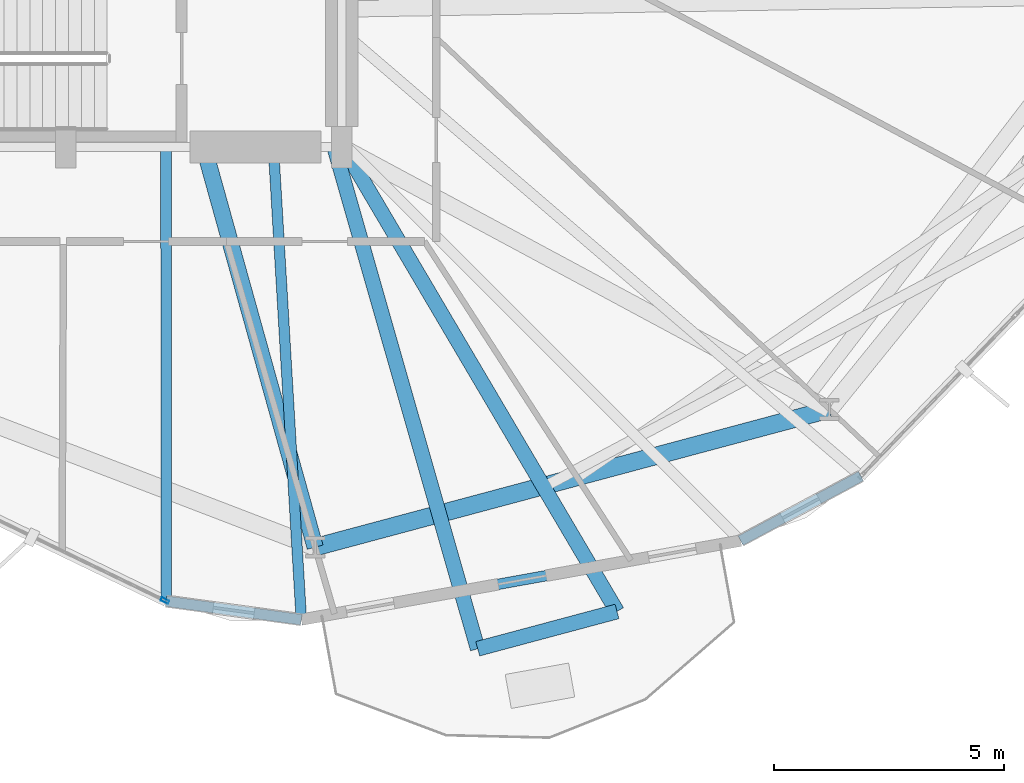
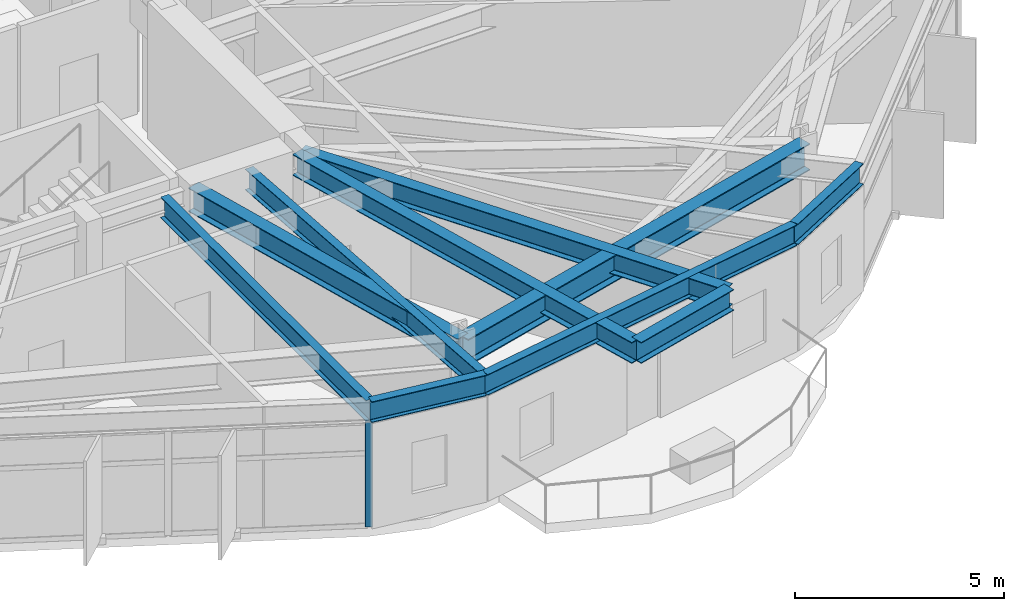
# One storey, part 4 of 22: 10 beams, 1 member, 1 element without a shape of its own.
"""IFC4 building model written with IfcOpenShell, lengths in metres."""

from ifc_helpers import new_model, si_unit, direction, frame, origin, origin_2d, place, context, subcontext, project, spatial, hollow_rectangle, i_section, extrude, material, layer, layer_set, material_profile, profile_set, type_object, element, aggregate, save


model = new_model("IFC4")

# Units and contexts
model_context = context("Model", 3, precision=1e-05, world=origin(), true_north=direction((0.0, 1.0)))
body_context = subcontext(model_context, "Body", "Model", "MODEL_VIEW")
ifc_project = project(units=[si_unit("LENGTHUNIT", "METRE"), si_unit("AREAUNIT", "SQUARE_METRE"), si_unit("VOLUMEUNIT", "CUBIC_METRE"), si_unit("PLANEANGLEUNIT", "RADIAN"), si_unit("MASSUNIT", "GRAM", prefix="KILO")], contexts=[model_context])

# Site, building, storey
site_placement = place(None, origin())
site = spatial("IfcSite", under=ifc_project, at=site_placement, CompositionType="ELEMENT")
building_placement = place(site_placement, origin())
building = spatial("IfcBuilding", under=site, at=building_placement, Name="Soratama Intermodal Tower", CompositionType="ELEMENT")
storey_placement = place(building_placement, frame((0.0, 0.0, 66.60009765625)))
storey = spatial("IfcBuildingStorey", under=building, at=storey_placement, Name="L15", CompositionType="ELEMENT", Elevation=66.60009765625)

# Beams
ifc_material_1 = material(Name="Structural steel ASTM A992 Grade 50", Category="steel")
ifc_material_profile_1 = material_profile(ifc_material_1, i_section(OverallWidth=0.324951171875, OverallDepth=0.615966796875, WebThickness=0.013916015625, FlangeThickness=0.021484375, FilletRadius=0.013916015625, at=origin_2d()), Name="W24X117")
ifc_profile_set_1 = profile_set([ifc_material_profile_1], Name="Structural steel ASTM A992 Grade 50")
beam_type_1 = type_object("IfcBeamType", Name="BM-CANT-W24X117", PredefinedType="BEAM", material=ifc_profile_set_1)
beam_1_placement = place(storey_placement, frame((47.552001953125, 4.097900390625, 3.391845703125), z_axis=(0.965952569865, 0.258719216084, 0.0), x_axis=(-0.258719216084, 0.965952569865, 0.0)))
element("IfcBeam", 1, at=beam_1_placement, inside=storey, type_object=beam_type_1, Name="BM-L15-CBHDR-3", PredefinedType="BEAM", context=body_context, shape_type="SweptSolid", body=[
    extrude(i_section(OverallWidth=0.324951171875, OverallDepth=0.615966796875, WebThickness=0.013916015625, FlangeThickness=0.021484375, FilletRadius=0.013916015625, at=origin_2d()), origin(), (0.0, 0.0, 1.0), 3.134765625),
])
beam_2_placement = place(storey_placement, frame((44.445068359375, 14.9619140625, 3.391845703125), z_axis=(0.274960826164, -0.961455430103, 0.0), x_axis=(0.961455430103, 0.274960826164, 0.0)))
element("IfcBeam", 2, at=beam_2_placement, inside=storey, type_object=beam_type_1, Name="BM-L15-CANT-3-1", PredefinedType="BEAM", context=body_context, shape_type="SweptSolid", body=[
    extrude(i_section(OverallWidth=0.324951171875, OverallDepth=0.615966796875, WebThickness=0.013916015625, FlangeThickness=0.021484375, FilletRadius=0.013916015625, at=origin_2d()), origin(), (0.0, 0.0, 1.0), 11.299560546875),
])
beam_3_placement = place(storey_placement, frame((44.6201171875, 15.01708984375, 3.391845703125), z_axis=(0.507905459326, -0.861412818797, 0.0), x_axis=(0.861412818797, 0.507905459326, 0.0)))
element("IfcBeam", 3, at=beam_3_placement, inside=storey, type_object=beam_type_1, Name="BM-L15-CANT-3-2", PredefinedType="BEAM", context=body_context, shape_type="SweptSolid", body=[
    extrude(i_section(OverallWidth=0.324951171875, OverallDepth=0.615966796875, WebThickness=0.013916015625, FlangeThickness=0.021484375, FilletRadius=0.013916015625, at=origin_2d()), origin(), (0.0, 0.0, 1.0), 11.734375),
])
ifc_material_2 = material(Name="Structural steel ASTM A992 Grade 50", Category="steel")
ifc_material_profile_2 = material_profile(ifc_material_2, i_section(OverallWidth=0.35498046875, OverallDepth=0.695068359375, WebThickness=0.015380859375, FlangeThickness=0.02490234375, FilletRadius=0.01611328125, at=origin_2d()), Name="W27X146")
ifc_profile_set_2 = profile_set([ifc_material_profile_2], Name="Structural steel ASTM A992 Grade 50")
beam_type_2 = type_object("IfcBeamType", Name="BM-RING-W27X146", PredefinedType="BEAM", material=ifc_profile_set_2)
beam_4_placement = place(storey_placement, frame((41.60009765625, 15.0, 3.352294921875), z_axis=(0.26814752121, -0.963377862974, 0.0), x_axis=(0.963377862974, 0.26814752121, 0.0)))
element("IfcBeam", 4, at=beam_4_placement, inside=storey, type_object=beam_type_2, Name="BM-L15-RAD-08", PredefinedType="BEAM", context=body_context, shape_type="SweptSolid", body=[
    extrude(i_section(OverallWidth=0.35498046875, OverallDepth=0.695068359375, WebThickness=0.015380859375, FlangeThickness=0.02490234375, FilletRadius=0.01611328125, at=origin_2d()), origin(), (0.0, 0.0, 1.0), 9.024658203125),
])
ifc_material_3 = material(Name="Structural steel ASTM A992 Grade 50", Category="steel")
ifc_material_profile_3 = material_profile(ifc_material_3, i_section(OverallWidth=0.382080078125, OverallDepth=0.779052734375, WebThickness=0.01806640625, FlangeThickness=0.030029296875, FilletRadius=0.01806640625, at=origin_2d()), Name="W30X191")
ifc_profile_set_3 = profile_set([ifc_material_profile_3], Name="Structural steel ASTM A992 Grade 50")
beam_type_3 = type_object("IfcBeamType", Name="BM-RING-W30X191", PredefinedType="BEAM", material=ifc_profile_set_3)
beam_5_placement = place(storey_placement, frame((44.02001953125, 6.305908203125, 3.310302734375), z_axis=(0.965935902196, 0.258781438376, 0.0), x_axis=(-0.258781438376, 0.965935902196, 0.0)))
element("IfcBeam", 5, at=beam_5_placement, inside=storey, type_object=beam_type_3, Name="BM-L15-RING-08", PredefinedType="BEAM", context=body_context, shape_type="SweptSolid", body=[
    extrude(i_section(OverallWidth=0.382080078125, OverallDepth=0.779052734375, WebThickness=0.01806640625, FlangeThickness=0.030029296875, FilletRadius=0.01806640625, at=origin_2d()), origin(), (0.0, 0.0, 1.0), 11.570068359375),
])
ifc_material_4 = material(Name="Structural steel ASTM A992 Grade 50", Category="steel")
ifc_material_profile_4 = material_profile(ifc_material_4, i_section(OverallWidth=0.22900390625, OverallDepth=0.612060546875, WebThickness=0.011962890625, FlangeThickness=0.01953125, FilletRadius=0.012939453125, at=origin_2d()), Name="W24X84")
ifc_profile_set_4 = profile_set([ifc_material_profile_4], Name="Structural steel ASTM A992 Grade 50")
beam_type_4 = type_object("IfcBeamType", Name="BM-SPN-W24X84", PredefinedType="SPANDREL", material=ifc_profile_set_4)
beam_6_placement = place(storey_placement, frame((40.781005859375, 5.132080078125, 3.393798828125), z_axis=(0.990725704986, -0.13587706753, 0.0), x_axis=(0.13587706753, 0.990725704986, 0.0)))
element("IfcBeam", 6, at=beam_6_placement, inside=storey, type_object=beam_type_4, Name="BS-L15-CRN07", PredefinedType="SPANDREL", context=body_context, shape_type="SweptSolid", body=[
    extrude(i_section(OverallWidth=0.22900390625, OverallDepth=0.612060546875, WebThickness=0.011962890625, FlangeThickness=0.01953125, FilletRadius=0.012939453125, at=origin_2d()), origin(), (0.0, 0.0, 1.0), 2.966552734375),
])
beam_7_placement = place(storey_placement, frame((43.719970703125, 4.72900390625, 3.393798828125), z_axis=(0.984184552879, 0.177146170928, 0.0), x_axis=(-0.177146170928, 0.984184552879, 0.0)))
element("IfcBeam", 7, at=beam_7_placement, inside=storey, type_object=beam_type_4, Name="BS-L15-F08", PredefinedType="SPANDREL", context=body_context, shape_type="SweptSolid", body=[
    extrude(i_section(OverallWidth=0.22900390625, OverallDepth=0.612060546875, WebThickness=0.011962890625, FlangeThickness=0.01953125, FilletRadius=0.012939453125, at=origin_2d()), origin(), (0.0, 0.0, 1.0), 9.6982421875),
])
beam_8_placement = place(storey_placement, frame((53.264892578125, 6.447021484375, 3.393798828125), z_axis=(0.881309887605, 0.472538762442, 0.0), x_axis=(-0.472538762442, 0.881309887605, 0.0)))
element("IfcBeam", 8, at=beam_8_placement, inside=storey, type_object=beam_type_4, Name="BS-L15-CRN08", PredefinedType="SPANDREL", context=body_context, shape_type="SweptSolid", body=[
    extrude(i_section(OverallWidth=0.22900390625, OverallDepth=0.612060546875, WebThickness=0.011962890625, FlangeThickness=0.01953125, FilletRadius=0.012939453125, at=origin_2d()), origin(), (0.0, 0.0, 1.0), 2.96728515625),
])
ifc_material_5 = material(Name="Structural steel ASTM A992 Grade 50", Category="steel")
ifc_material_profile_5 = material_profile(ifc_material_5, i_section(OverallWidth=0.22900390625, OverallDepth=0.612060546875, WebThickness=0.011962890625, FlangeThickness=0.01953125, FilletRadius=0.012939453125, at=origin_2d()), Name="W24X84")
ifc_profile_set_5 = profile_set([ifc_material_profile_5], Name="Structural steel ASTM A992 Grade 50")
beam_type_5 = type_object("IfcBeamType", Name="BM-TIE-W24X84", PredefinedType="BEAM", material=ifc_profile_set_5)
beam_9_placement = place(storey_placement, frame((40.779052734375, 14.9599609375, 3.393798828125), z_axis=(0.000198733073, -0.999999980253, 0.0), x_axis=(0.999999980253, 0.000198733073, 0.0)))
element("IfcBeam", 9, at=beam_9_placement, inside=storey, type_object=beam_type_5, Name="BM-L15-TIE1-07", PredefinedType="BEAM", context=body_context, shape_type="SweptSolid", body=[
    extrude(i_section(OverallWidth=0.22900390625, OverallDepth=0.612060546875, WebThickness=0.011962890625, FlangeThickness=0.01953125, FilletRadius=0.012939453125, at=origin_2d()), origin(), (0.0, 0.0, 1.0), 9.827880859375),
])
beam_10_placement = place(storey_placement, frame((43.114990234375, 14.9599609375, 3.393798828125), z_axis=(0.059029232062, -0.998256254557, 0.0), x_axis=(0.998256254557, 0.059029232062, 0.0)))
element("IfcBeam", 10, at=beam_10_placement, inside=storey, type_object=beam_type_5, Name="BM-L15-TIE0-08", PredefinedType="BEAM", context=body_context, shape_type="SweptSolid", body=[
    extrude(i_section(OverallWidth=0.22900390625, OverallDepth=0.612060546875, WebThickness=0.011962890625, FlangeThickness=0.01953125, FilletRadius=0.012939453125, at=origin_2d()), origin(), (0.0, 0.0, 1.0), 10.248779296875),
])

# Curtain wall, member
ifc_material_6 = material(Name="Double-glazed aluminium curtain wall", Category="aluminium")
ifc_layer = layer(ifc_material_6, 0.159912109375)
ifc_layer_set = layer_set([ifc_layer], Name="Double-glazed aluminium curtain wall")
curtain_wall_type = type_object("IfcCurtainWallType", Name="CW-SYS-2", PredefinedType="NOTDEFINED", material=ifc_layer_set)
curtain_wall_placement = place(storey_placement, origin())
curtain_wall = element("IfcCurtainWall", 11, at=curtain_wall_placement, inside=storey, type_object=curtain_wall_type, Name="L15 Faceted Curtain Wall F07", PredefinedType="NOTDEFINED")
ifc_material_7 = material(Name="Anodised aluminium AA 6063-T6", Category="aluminium")
ifc_material_profile_6 = material_profile(ifc_material_7, hollow_rectangle(XDim=0.074951171875, YDim=0.179931640625, WallThickness=0.006103515625, InnerFilletRadius=0.006103515625, OuterFilletRadius=0.011962890625, at=origin_2d()), Name="CWM180X75X6")
ifc_profile_set_6 = profile_set([ifc_material_profile_6], Name="Anodised aluminium AA 6063-T6")
member_type = type_object("IfcMemberType", Name="MT-CWM-2", PredefinedType="MULLION", material=ifc_profile_set_6)
member_placement = place(storey_placement, frame((40.75439453125, 5.14501953125, 0.0), z_axis=(0.0, 0.0, 1.0), x_axis=(0.435224802543, 0.900321815381, 0.0)))
member = element("IfcMember", 12, at=member_placement, type_object=member_type, Name="CW-2 mullion 3", PredefinedType="MULLION", context=body_context, shape_type="SweptSolid", body=[
    extrude(hollow_rectangle(XDim=0.074951171875, YDim=0.179931640625, WallThickness=0.006103515625, InnerFilletRadius=0.006103515625, OuterFilletRadius=0.011962890625, at=origin_2d()), origin(), (0.0, 0.0, 1.0), 3.078857421875),
])
aggregate(curtain_wall, [member])

save(model, "model.ifc")
